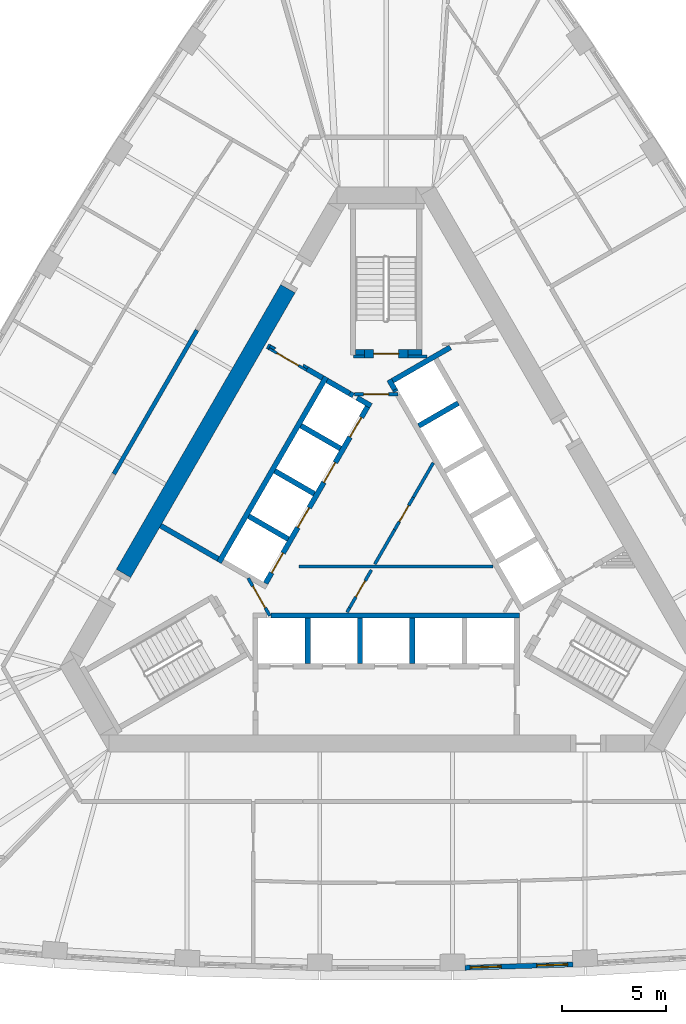
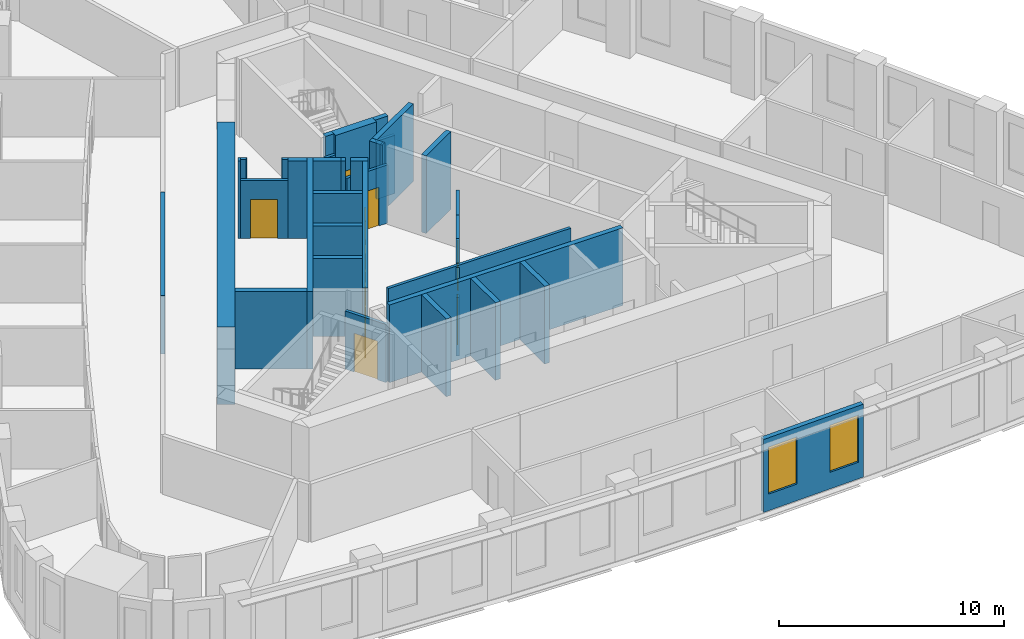
# One storey, part 5 of 11: 38 walls, 10 doors, 2 windows, 12 openings.
"""IFC4 building model written with IfcOpenShell, lengths in metres."""

import ifcopenshell
import ifcopenshell.guid

model = None  # the IFC model being written
_history = None  # IfcOwnerHistory: only IFC2X3 demands one
_inside = {}  # id of a spatial element -> (the spatial element, [elements in it])
_under = {}  # id of a project, library or spatial element -> (it, [spatial elements below it])
_declared = {}  # id of a project -> (the project, [libraries it declares])
_typed = {}  # id of a type object -> (the type object, [elements of that type])
_made_of = {}  # id of a material, layer set ... -> (it, [elements and type objects made of it])


def new_model(schema):
    """Start an empty IFC model of exactly this schema.

    Asked for "IFC4X3", IfcOpenShell would pick the latest addendum, in which some entities
    have other attributes; the version numbers below select the first issue.
    IFC2X3 requires an IfcOwnerHistory on every rooted entity: one is made here for all.
    """
    global model, _history
    if schema == "IFC4X3":
        model = ifcopenshell.file(schema_version=(4, 3, 0, 0))
    else:
        model = ifcopenshell.file(schema=schema)
    _inside.clear()
    _under.clear()
    _declared.clear()
    _typed.clear()
    _made_of.clear()
    _history = None
    if model.schema == "IFC2X3":
        org = make("IfcOrganization", Name="unknown")
        user = make(
            "IfcPersonAndOrganization",
            ThePerson=make("IfcPerson", FamilyName="unknown"),
            TheOrganization=org,
        )
        app = make(
            "IfcApplication",
            ApplicationDeveloper=org,
            Version="unknown",
            ApplicationFullName="unknown",
            ApplicationIdentifier="unknown",
        )
        _history = make(
            "IfcOwnerHistory",
            OwningUser=user,
            OwningApplication=app,
            ChangeAction="ADDED",
            CreationDate=0,
        )
    return model


def make(cls, **values):
    """One entity of the class cls with the attributes given. An attribute that is None is left unset."""
    return model.create_entity(
        cls, **{name: value for name, value in values.items() if value is not None}
    )


def rooted(cls, **values):
    """An entity with a GlobalId (a new one), such as an element, a storey or a relation."""
    return make(cls, GlobalId=ifcopenshell.guid.new(), OwnerHistory=_history, **values)


def si_unit(unit_type, name, prefix=None):
    """IfcSIUnit, for example si_unit("LENGTHUNIT", "METRE", prefix="MILLI")."""
    return make("IfcSIUnit", UnitType=unit_type, Prefix=prefix, Name=name)


def assignment(units):
    """IfcUnitAssignment: the units of a project."""
    return None if units is None else make("IfcUnitAssignment", Units=units)


def point(xyz):
    """IfcCartesianPoint."""
    return None if xyz is None else make("IfcCartesianPoint", Coordinates=xyz)


def direction(xyz):
    """IfcDirection."""
    return None if xyz is None else make("IfcDirection", DirectionRatios=xyz)


def frame(location, z_axis=None, x_axis=None):
    """IfcAxis2Placement3D, a coordinate frame: its origin and axes. An axis left out is left unset."""
    return make(
        "IfcAxis2Placement3D",
        Location=point(location),
        Axis=direction(z_axis),
        RefDirection=direction(x_axis),
    )


def frame_2d(location, x_axis=None):
    """IfcAxis2Placement2D, a coordinate frame in the plane: its origin and x axis."""
    return make(
        "IfcAxis2Placement2D", Location=point(location), RefDirection=direction(x_axis)
    )


def origin():
    """The frame at (0, 0, 0) with its axes left unset."""
    return frame((0.0, 0.0, 0.0))


def place(relative_to, where):
    """IfcLocalPlacement: puts the frame where relative to a parent placement (None: the world)."""
    return make(
        "IfcLocalPlacement", PlacementRelTo=relative_to, RelativePlacement=where
    )


def context(
    kind, dimensions, precision=None, world=None, true_north=None, identifier=None
):
    """IfcGeometricRepresentationContext, for example the 3D "Model" context."""
    return make(
        "IfcGeometricRepresentationContext",
        ContextIdentifier=identifier,
        ContextType=kind,
        CoordinateSpaceDimension=dimensions,
        Precision=precision,
        WorldCoordinateSystem=world,
        TrueNorth=true_north,
    )


def subcontext(parent, identifier, kind, view, scale=None):
    """IfcGeometricRepresentationSubContext, for example "Body" below "Model"."""
    return make(
        "IfcGeometricRepresentationSubContext",
        ContextIdentifier=identifier,
        ContextType=kind,
        ParentContext=parent,
        TargetScale=scale,
        TargetView=view,
    )


def project(units=None, contexts=None):
    """IfcProject with its units and contexts."""
    return rooted(
        "IfcProject",
        Name="project",
        RepresentationContexts=contexts,
        UnitsInContext=assignment(units),
    )


def spatial(cls, under=None, at=None, **own):
    """A site, building, storey or space (cls), placed at a placement, below another one or the project."""
    s = rooted(cls, ObjectPlacement=at, **own)
    if under is not None:
        _under.setdefault(under.id(), (under, []))[1].append(s)
    return s


def polyline(points):
    """IfcPolyline through the points."""
    return make("IfcPolyline", Points=[point(p) for p in points])


def profile(cls, at=None, kind="AREA", **sizes):
    """A parametric profile (cls). Its sizes go by their IFC names, for example OverallWidth=200.0."""
    return make(cls, ProfileType=kind, Position=at, **sizes)


def rectangle(**sizes):
    """IfcRectangleProfileDef."""
    return profile("IfcRectangleProfileDef", **sizes)


def outline(outer, holes=None, kind="AREA"):
    """IfcArbitraryClosedProfileDef: a profile drawn as a closed curve; with holes, ...WithVoids."""
    if holes is None:
        return make("IfcArbitraryClosedProfileDef", ProfileType=kind, OuterCurve=outer)
    return make(
        "IfcArbitraryProfileDefWithVoids",
        ProfileType=kind,
        OuterCurve=outer,
        InnerCurves=holes,
    )


def extrude(swept, where, along, depth):
    """IfcExtrudedAreaSolid: the profile swept, set in the frame where, extruded along a direction by depth."""
    return make(
        "IfcExtrudedAreaSolid",
        SweptArea=swept,
        Position=where,
        ExtrudedDirection=direction(along),
        Depth=depth,
    )


def shape(context_of_items, identifier, shape_type, items):
    """IfcShapeRepresentation: the items that make up one representation, for example the "Body"."""
    return make(
        "IfcShapeRepresentation",
        ContextOfItems=context_of_items,
        RepresentationIdentifier=identifier,
        RepresentationType=shape_type,
        Items=items,
    )


def material(Name=None, Category=None):
    """IfcMaterial."""
    return make("IfcMaterial", Name=Name, Category=Category)


def layer(
    of_material, thickness, ventilated=None, Name=None, Category=None, Priority=None
):
    """IfcMaterialLayer: one layer of a wall or slab, of a material (None: an air gap)."""
    return make(
        "IfcMaterialLayer",
        Material=of_material,
        LayerThickness=thickness,
        IsVentilated=ventilated,
        Name=Name,
        Category=Category,
        Priority=Priority,
    )


def layer_set(layers, Name=None):
    """IfcMaterialLayerSet."""
    return make("IfcMaterialLayerSet", MaterialLayers=layers, LayerSetName=Name)


def made_of(thing, what):
    """Note that an element or type object is made of a material, layer set ...; save() writes the relation."""
    if what is not None:
        _made_of.setdefault(what.id(), (what, []))[1].append(thing)
    return thing


def type_object(cls, material=None, **own):
    """A type object (cls), such as IfcWallType, which elements share."""
    return made_of(rooted(cls, **own), material)


def element(
    cls,
    number,
    at=None,
    inside=None,
    cuts=None,
    type_object=None,
    material=None,
    context=None,
    identifier="Body",
    shape_type=None,
    held_by="IfcProductDefinitionShape",
    body=None,
    shapes=None,
    **own,
):
    """One element of the class cls, such as IfcWall. Its Tag is "e" and its number.

    at: its placement. inside: the storey or other place that contains it. cuts: it is an
    opening in that element (IfcRelVoidsElement). A single representation is given by context,
    identifier, shape_type and body (its items); several are given by shapes. held_by: the class
    of the entity that holds the representations. save() writes the other relations.
    """
    e = rooted(cls, Tag="e%d" % number, ObjectPlacement=at, **own)
    if body is not None:
        shapes = [shape(context, identifier, shape_type, body)]
    if shapes is not None:
        e.Representation = make(held_by, Representations=shapes)
    if inside is not None:
        _inside.setdefault(inside.id(), (inside, []))[1].append(e)
    if cuts is not None:
        rooted(
            "IfcRelVoidsElement", RelatingBuildingElement=cuts, RelatedOpeningElement=e
        )
    if type_object is not None:
        _typed.setdefault(type_object.id(), (type_object, []))[1].append(e)
    return made_of(e, material)


def fill(opening, filler):
    """IfcRelFillsElement: the door or window that sits in an opening."""
    return rooted(
        "IfcRelFillsElement",
        RelatingOpeningElement=opening,
        RelatedBuildingElement=filler,
    )


def aggregate(whole, parts):
    """IfcRelAggregates: a whole, such as a stair, and the parts it consists of."""
    return rooted("IfcRelAggregates", RelatingObject=whole, RelatedObjects=parts)


def save(model, path):
    """Write the relations noted so far, then the file.

    IfcRelAggregates (storeys below a building ...), IfcRelContainedInSpatialStructure (elements
    in a storey), IfcRelDefinesByType, IfcRelAssociatesMaterial and IfcRelDeclares: one each for
    every whole, place, type object, material and project.
    """
    for whole, parts in _under.values():
        aggregate(whole, parts)
    for where, things in _inside.values():
        rooted(
            "IfcRelContainedInSpatialStructure",
            RelatedElements=things,
            RelatingStructure=where,
        )
    for kind, things in _typed.values():
        rooted("IfcRelDefinesByType", RelatedObjects=things, RelatingType=kind)
    for what, things in _made_of.values():
        rooted("IfcRelAssociatesMaterial", RelatedObjects=things, RelatingMaterial=what)
    for by, libraries in _declared.values():
        rooted("IfcRelDeclares", RelatingContext=by, RelatedDefinitions=libraries)
    model.write(path)


model = new_model("IFC4")

# Units and contexts
model_context = context("Model", 3, precision=1e-05, world=origin(), true_north=direction((0.0, 1.0)))
body_context = subcontext(model_context, "Body", "Model", "MODEL_VIEW")
ifc_project = project(units=[si_unit("LENGTHUNIT", "METRE"), si_unit("AREAUNIT", "SQUARE_METRE"), si_unit("VOLUMEUNIT", "CUBIC_METRE"), si_unit("PLANEANGLEUNIT", "RADIAN"), si_unit("MASSUNIT", "GRAM", prefix="KILO")], contexts=[model_context])

# Site, building, storey
site_placement = place(None, origin())
site = spatial("IfcSite", under=ifc_project, at=site_placement, CompositionType="ELEMENT")
building_placement = place(site_placement, origin())
building = spatial("IfcBuilding", under=site, at=building_placement, Name="Mestral Congress Tower", CompositionType="ELEMENT")
storey_placement = place(building_placement, frame((0.0, 0.0, 175.199951171875)))
storey = spatial("IfcBuildingStorey", under=building, at=storey_placement, Name="L41", CompositionType="ELEMENT", Elevation=175.199951171875)

# Walls
ifc_material_1 = material(Name="Fire-rated board partition")
ifc_layer_1 = layer(ifc_material_1, 0.14990234375)
ifc_layer_set_1 = layer_set([ifc_layer_1], Name="Fire-rated board partition")
wall_type_1 = type_object("IfcWallType", Name="Core partition 150", PredefinedType="PARTITIONING", material=ifc_layer_set_1)
wall_1_placement = place(storey_placement, frame((1.050048828125, 8.62548828125, 0.0), z_axis=(0.0, 0.0, 1.0), x_axis=(1.0, 0.0, 0.0)))
element("IfcWall", 1, at=wall_1_placement, inside=storey, type_object=wall_type_1, Name="L41 core wall", PredefinedType="PARTITIONING", context=body_context, shape_type="SweptSolid", body=[
    extrude(rectangle(XDim=0.9287109375, YDim=0.14990234375, at=frame_2d((0.46435546875, 0.0))), origin(), (0.0, 0.0, 1.0), 3.150146484375),
])
wall_2_placement = place(storey_placement, frame((-1.56396484375, 8.62548828125, 0.0), z_axis=(0.0, 0.0, 1.0), x_axis=(1.0, 0.0, 0.0)))
element("IfcWall", 2, at=wall_2_placement, inside=storey, type_object=wall_type_1, Name="L41 core wall", PredefinedType="PARTITIONING", context=body_context, shape_type="SweptSolid", body=[
    extrude(rectangle(XDim=0.513916015625, YDim=0.14990234375, at=frame_2d((0.2568359375, 0.0))), origin(), (0.0, 0.0, 1.0), 3.150146484375),
])
wall_3_placement = place(storey_placement, frame((-4.199951171875, -1.5, 0.0), z_axis=(0.0, 0.0, 1.0), x_axis=(1.0, 0.0, 0.0)))
element("IfcWall", 3, at=wall_3_placement, inside=storey, type_object=wall_type_1, Name="L41 core wall", PredefinedType="PARTITIONING", context=body_context, shape_type="SweptSolid", body=[
    extrude(rectangle(XDim=9.359375, YDim=0.14990234375, at=frame_2d((4.6796875, 0.0))), origin(), (0.0, 0.0, 1.0), 3.150146484375),
])
wall_4_placement = place(storey_placement, frame((-0.54443359375, -1.393310546875, 0.0), z_axis=(0.0, 0.0, 1.0), x_axis=(0.499928740635, 0.866066541489, 0.0)))
element("IfcWall", 4, at=wall_4_placement, inside=storey, type_object=wall_type_1, Name="L41 core wall", PredefinedType="PARTITIONING", context=body_context, shape_type="SweptSolid", body=[
    extrude(rectangle(XDim=1.912353515625, YDim=0.14990234375, at=frame_2d((0.9560546875, 0.0))), origin(), (0.0, 0.0, 1.0), 3.150146484375),
])
wall_5_placement = place(storey_placement, frame((1.311767578125, 1.822021484375, 0.0), z_axis=(0.0, 0.0, 1.0), x_axis=(0.500003549559, 0.866023354436, 0.0)))
element("IfcWall", 5, at=wall_5_placement, inside=storey, type_object=wall_type_1, Name="L41 core wall", PredefinedType="PARTITIONING", context=body_context, shape_type="SweptSolid", body=[
    extrude(rectangle(XDim=1.9296875, YDim=0.14990234375, at=frame_2d((0.96484375, 0.0))), origin(), (0.0, 0.0, 1.0), 3.150146484375),
])
wall_6_placement = place(storey_placement, frame((-1.886962890625, -3.71826171875, 0.0), z_axis=(0.0, 0.0, 1.0), x_axis=(0.500165633897, 0.865929753888, 0.0)))
element("IfcWall", 6, at=wall_6_placement, inside=storey, type_object=wall_type_1, Name="L41 core wall", PredefinedType="PARTITIONING", context=body_context, shape_type="SweptSolid", body=[
    extrude(rectangle(XDim=0.25439453125, YDim=0.14990234375, at=frame_2d((0.127197265625, 0.0))), origin(), (0.0, 0.0, 1.0), 3.150146484375),
])

# Wall, opening, door
wall_7_placement = place(storey_placement, frame((-1.759765625, -3.498046875, 0.0), z_axis=(0.0, 0.0, 1.0), x_axis=(0.499977374825, 0.866038466041, 0.0)))
wall_7 = element("IfcWall", 7, at=wall_7_placement, inside=storey, type_object=wall_type_1, Name="L41 door wall", PredefinedType="PARTITIONING", context=body_context, shape_type="SweptSolid", body=[
    extrude(rectangle(XDim=2.10009765625, YDim=0.14990234375, at=frame_2d((1.050048828125, 0.0))), origin(), (0.0, 0.0, 1.0), 3.150146484375),
])
opening_1_placement = place(wall_7_placement, frame((0.60009765625, 0.0, 0.0)))
opening_1 = element("IfcOpeningElement", 8, at=opening_1_placement, cuts=wall_7, Name="Opening CD1-HUB0", PredefinedType="OPENING", context=body_context, shape_type="SweptSolid", body=[
    extrude(rectangle(XDim=0.89990234375, YDim=2.10009765625, at=frame_2d((0.449951171875, 1.050048828125))), frame((0.0, 0.0849609375, 0.0), z_axis=(0.0, -1.0, 0.0), x_axis=(1.0, 0.0, 0.0)), (0.0, 0.0, 1.0), 0.169921875),
])
ifc_material_2 = material(Name="Fire-rated steel door set", Category="steel")
door_type_1 = type_object("IfcDoorType", Name="Core door CD 900x2100", OperationType="SINGLE_SWING_LEFT", PredefinedType="DOOR", material=ifc_material_2)
door_1_placement = place(opening_1_placement, origin())
door_1 = element("IfcDoor", 9, at=door_1_placement, inside=storey, type_object=door_type_1, Name="Door CD1-HUB0", OperationType="SINGLE_SWING_LEFT", OverallHeight=2.10009765625, OverallWidth=0.89990234375, PredefinedType="DOOR", context=body_context, shape_type="SweptSolid", body=[
    extrude(rectangle(XDim=0.89990234375, YDim=2.10009765625, at=frame_2d((0.449951171875, 1.050048828125))), frame((0.0, 0.02490234375, 0.0), z_axis=(0.0, -1.0, 0.0), x_axis=(1.0, 0.0, 0.0)), (0.0, 0.0, 1.0), 0.050048828125),
])
fill(opening_1, door_1)

wall_8_placement = place(storey_placement, frame((-1.534423828125, 6.800048828125, 0.0), z_axis=(0.0, 0.0, 1.0), x_axis=(1.0, 0.0, 0.0)))
wall_8 = element("IfcWall", 10, at=wall_8_placement, inside=storey, type_object=wall_type_1, Name="L41 door wall", PredefinedType="PARTITIONING", context=body_context, shape_type="SweptSolid", body=[
    extrude(rectangle(XDim=2.099853515625, YDim=0.14990234375, at=frame_2d((1.0498046875, 0.0))), origin(), (0.0, 0.0, 1.0), 3.150146484375),
])
opening_2_placement = place(wall_8_placement, frame((0.449951171875, 0.0, 0.0)))
opening_2 = element("IfcOpeningElement", 11, at=opening_2_placement, cuts=wall_8, Name="Opening CD2-FF", PredefinedType="OPENING", context=body_context, shape_type="SweptSolid", body=[
    extrude(rectangle(XDim=1.199951171875, YDim=2.10009765625, at=frame_2d((0.60009765625, 1.050048828125))), frame((0.0, 0.0849609375, 0.0), z_axis=(0.0, -1.0, 0.0), x_axis=(1.0, 0.0, 0.0)), (0.0, 0.0, 1.0), 0.169921875),
])
door_type_2 = type_object("IfcDoorType", Name="Core door CD 1200x2100", OperationType="SINGLE_SWING_LEFT", PredefinedType="DOOR", material=ifc_material_2)
door_2_placement = place(opening_2_placement, origin())
door_2 = element("IfcDoor", 12, at=door_2_placement, inside=storey, type_object=door_type_2, Name="Door CD2-FF", OperationType="SINGLE_SWING_LEFT", OverallHeight=2.10009765625, OverallWidth=1.199951171875, PredefinedType="DOOR", context=body_context, shape_type="SweptSolid", body=[
    extrude(rectangle(XDim=1.199951171875, YDim=2.10009765625, at=frame_2d((0.60009765625, 1.050048828125))), frame((0.0, 0.02490234375, 0.0), z_axis=(0.0, -1.0, 0.0), x_axis=(1.0, 0.0, 0.0)), (0.0, 0.0, 1.0), 0.050048828125),
])
fill(opening_2, door_2)

wall_9_placement = place(storey_placement, frame((-5.606201171875, -3.8896484375, 0.0), z_axis=(0.0, 0.0, 1.0), x_axis=(-0.500027713859, 0.866009402589, 0.0)))
wall_9 = element("IfcWall", 13, at=wall_9_placement, inside=storey, type_object=wall_type_1, Name="L41 door wall", PredefinedType="PARTITIONING", context=body_context, shape_type="SweptSolid", body=[
    extrude(rectangle(XDim=2.10009765625, YDim=0.14990234375, at=frame_2d((1.050048828125, 0.0))), origin(), (0.0, 0.0, 1.0), 3.150146484375),
])
opening_3_placement = place(wall_9_placement, frame((0.449951171875, 0.0, 0.0)))
opening_3 = element("IfcOpeningElement", 14, at=opening_3_placement, cuts=wall_9, Name="Opening CD3-FF", PredefinedType="OPENING", context=body_context, shape_type="SweptSolid", body=[
    extrude(rectangle(XDim=1.199951171875, YDim=2.10009765625, at=frame_2d((0.60009765625, 1.050048828125))), frame((0.0, 0.0849609375, 0.0), z_axis=(0.0, -1.0, 0.0), x_axis=(1.0, 0.0, 0.0)), (0.0, 0.0, 1.0), 0.169921875),
])
door_3_placement = place(opening_3_placement, origin())
door_3 = element("IfcDoor", 15, at=door_3_placement, inside=storey, type_object=door_type_2, Name="Door CD3-FF", OperationType="SINGLE_SWING_LEFT", OverallHeight=2.10009765625, OverallWidth=1.199951171875, PredefinedType="DOOR", context=body_context, shape_type="SweptSolid", body=[
    extrude(rectangle(XDim=1.199951171875, YDim=2.10009765625, at=frame_2d((0.60009765625, 1.050048828125))), frame((0.0, 0.02490234375, 0.0), z_axis=(0.0, -1.0, 0.0), x_axis=(1.0, 0.0, 0.0)), (0.0, 0.0, 1.0), 0.050048828125),
])
fill(opening_3, door_3)

wall_10_placement = place(storey_placement, frame((0.41162109375, 0.26318359375, 0.0), z_axis=(0.0, 0.0, 1.0), x_axis=(0.500062916607, 0.865989075817, 0.0)))
wall_10 = element("IfcWall", 16, at=wall_10_placement, inside=storey, type_object=wall_type_1, Name="L41 door wall", PredefinedType="PARTITIONING", context=body_context, shape_type="SweptSolid", body=[
    extrude(rectangle(XDim=1.800048828125, YDim=0.14990234375, at=frame_2d((0.89990234375, 0.0))), origin(), (0.0, 0.0, 1.0), 3.150146484375),
])
opening_4_placement = place(wall_10_placement, frame((0.449951171875, 0.0, 0.0)))
opening_4 = element("IfcOpeningElement", 17, at=opening_4_placement, cuts=wall_10, Name="Opening SD-HUB1", PredefinedType="OPENING", context=body_context, shape_type="SweptSolid", body=[
    extrude(rectangle(XDim=0.89990234375, YDim=2.10009765625, at=frame_2d((0.449951171875, 1.050048828125))), frame((0.0, 0.0849609375, 0.0), z_axis=(0.0, -1.0, 0.0), x_axis=(1.0, 0.0, 0.0)), (0.0, 0.0, 1.0), 0.169921875),
])
door_type_3 = type_object("IfcDoorType", Name="Core door SR 900x2100", OperationType="SINGLE_SWING_LEFT", PredefinedType="DOOR", material=ifc_material_2)
door_4_placement = place(opening_4_placement, origin())
door_4 = element("IfcDoor", 18, at=door_4_placement, inside=storey, type_object=door_type_3, Name="Door SD-HUB1", OperationType="SINGLE_SWING_LEFT", OverallHeight=2.10009765625, OverallWidth=0.89990234375, PredefinedType="DOOR", context=body_context, shape_type="SweptSolid", body=[
    extrude(rectangle(XDim=0.89990234375, YDim=2.10009765625, at=frame_2d((0.449951171875, 1.050048828125))), frame((0.0, 0.02490234375, 0.0), z_axis=(0.0, -1.0, 0.0), x_axis=(1.0, 0.0, 0.0)), (0.0, 0.0, 1.0), 0.050048828125),
])
fill(opening_4, door_4)

ifc_layer_2 = layer(ifc_material_1, 0.1201171875)
ifc_layer_set_2 = layer_set([ifc_layer_2], Name="Fire-rated board partition")
wall_type_2 = type_object("IfcWallType", Name="Core partition 150 door-wall 120", PredefinedType="PARTITIONING", material=ifc_layer_set_2)
wall_11_placement = place(storey_placement, frame((-5.65869140625, 9.01171875, 0.0), z_axis=(0.0, 0.0, 1.0), x_axis=(0.866009402589, -0.500027713859, 0.0)))
wall_11 = element("IfcWall", 19, at=wall_11_placement, inside=storey, type_object=wall_type_2, Name="L41 door wall", PredefinedType="PARTITIONING", context=body_context, shape_type="SweptSolid", body=[
    extrude(rectangle(XDim=2.10009765625, YDim=0.1201171875, at=frame_2d((1.050048828125, 0.0))), origin(), (0.0, 0.0, 1.0), 3.150146484375),
])
opening_5_placement = place(wall_11_placement, frame((0.449951171875, 0.0, 0.0)))
opening_5 = element("IfcOpeningElement", 20, at=opening_5_placement, cuts=wall_11, Name="Opening LB2-WL2", PredefinedType="OPENING", context=body_context, shape_type="SweptSolid", body=[
    extrude(rectangle(XDim=1.199951171875, YDim=2.10009765625, at=frame_2d((0.60009765625, 1.050048828125))), frame((0.0, 0.070068359375, 0.0), z_axis=(0.0, -1.0, 0.0), x_axis=(1.0, 0.0, 0.0)), (0.0, 0.0, 1.0), 0.14013671875),
])
door_type_4 = type_object("IfcDoorType", Name="Core door LB 1200x2100", OperationType="SINGLE_SWING_LEFT", PredefinedType="DOOR", material=ifc_material_2)
door_5_placement = place(opening_5_placement, origin())
door_5 = element("IfcDoor", 21, at=door_5_placement, inside=storey, type_object=door_type_4, Name="Door LB2-WL2", OperationType="SINGLE_SWING_LEFT", OverallHeight=2.10009765625, OverallWidth=1.199951171875, PredefinedType="DOOR", context=body_context, shape_type="SweptSolid", body=[
    extrude(rectangle(XDim=1.199951171875, YDim=2.10009765625, at=frame_2d((0.60009765625, 1.050048828125))), frame((0.0, 0.02490234375, 0.0), z_axis=(0.0, -1.0, 0.0), x_axis=(1.0, 0.0, 0.0)), (0.0, 0.0, 1.0), 0.050048828125),
])
fill(opening_5, door_5)

# Wall
ifc_material_3 = material(Name="Concrete C60/75", Category="concrete")
ifc_layer_3 = layer(ifc_material_3, 0.800048828125)
ifc_layer_set_3 = layer_set([ifc_layer_3], Name="Concrete C60/75")
wall_type_3 = type_object("IfcWallType", Name="Core wall RC 800", PredefinedType="SOLIDWALL", material=ifc_layer_set_3)
wall_12_placement = place(storey_placement, frame((-12.668212890625, -1.841796875, 0.0), z_axis=(0.0, 0.0, 1.0), x_axis=(0.500003640647, 0.866023301845, 0.0)))
element("IfcWall", 22, at=wall_12_placement, inside=storey, type_object=wall_type_3, Name="L41 core wall", PredefinedType="SOLIDWALL", context=body_context, shape_type="SweptSolid", body=[
    extrude(rectangle(XDim=15.8583984375, YDim=0.800048828125, at=frame_2d((7.92919921875, 0.0))), origin(), (0.0, 0.0, 1.0), 4.199951171875),
])

# Wall, openings, windows
ifc_material_4 = material(Name="Precast concrete C40/50 with limestone facing", Category="masonry")
ifc_layer_4 = layer(ifc_material_4, 0.239990234375)
ifc_layer_set_4 = layer_set([ifc_layer_4], Name="Precast concrete C40/50 with limestone facing")
wall_type_4 = type_object("IfcWallType", Name="Facade stone wall 240", PredefinedType="SOLIDWALL", material=ifc_layer_set_4)
wall_13_placement = place(storey_placement, frame((3.80615234375, -20.869873046875, 0.0), z_axis=(0.0, 0.0, 1.0), x_axis=(0.999533441983, 0.030543384845, 0.0)))
wall_13 = element("IfcWall", 23, at=wall_13_placement, inside=storey, type_object=wall_type_4, Name="Facade wall F0-04", PredefinedType="SOLIDWALL", context=body_context, shape_type="SweptSolid", body=[
    extrude(rectangle(XDim=5.20361328125, YDim=0.239990234375, at=frame_2d((2.601806640625, 0.0))), origin(), (0.0, 0.0, 1.0), 3.949951171875),
])
opening_6_placement = place(wall_13_placement, frame((0.248291015625, 0.0, 0.89990234375)))
opening_6 = element("IfcOpeningElement", 24, at=opening_6_placement, cuts=wall_13, Name="Opening W4", PredefinedType="OPENING", context=body_context, shape_type="SweptSolid", body=[
    extrude(rectangle(XDim=1.5, YDim=2.550048828125, at=frame_2d((0.75, 1.27490234375))), frame((0.0, 0.1298828125, 0.0), z_axis=(0.0, -1.0, 0.0), x_axis=(1.0, 0.0, 0.0)), (0.0, 0.0, 1.0), 0.260009765625),
])
opening_7_placement = place(wall_13_placement, frame((3.455078125, 0.0, 0.89990234375)))
opening_7 = element("IfcOpeningElement", 25, at=opening_7_placement, cuts=wall_13, Name="Opening W4", PredefinedType="OPENING", context=body_context, shape_type="SweptSolid", body=[
    extrude(rectangle(XDim=1.5, YDim=2.550048828125, at=frame_2d((0.75, 1.27490234375))), frame((0.0, 0.1298828125, 0.0), z_axis=(0.0, -1.0, 0.0), x_axis=(1.0, 0.0, 0.0)), (0.0, 0.0, 1.0), 0.260009765625),
])
ifc_material_5 = material(Name="Clear low-emissivity double glazing", Category="glass")
window_type = type_object("IfcWindowType", Name="Facade punched window 1500 x 2550 sill 900", PartitioningType="SINGLE_PANEL", PredefinedType="WINDOW", material=ifc_material_5)
window_1_placement = place(opening_6_placement, origin())
window_1 = element("IfcWindow", 26, at=window_1_placement, inside=storey, type_object=window_type, Name="Window F0-04a", OverallHeight=2.550048828125, OverallWidth=1.5, PartitioningType="SINGLE_PANEL", PredefinedType="WINDOW", context=body_context, shape_type="SweptSolid", body=[
    extrude(rectangle(XDim=1.5, YDim=2.550048828125, at=frame_2d((0.75, 1.27490234375))), frame((0.0, 0.0400390625, 0.0), z_axis=(0.0, -1.0, 0.0), x_axis=(1.0, 0.0, 0.0)), (0.0, 0.0, 1.0), 0.06005859375),
])
fill(opening_6, window_1)
window_2_placement = place(opening_7_placement, origin())
window_2 = element("IfcWindow", 27, at=window_2_placement, inside=storey, type_object=window_type, Name="Window F0-04b", OverallHeight=2.550048828125, OverallWidth=1.5, PartitioningType="SINGLE_PANEL", PredefinedType="WINDOW", context=body_context, shape_type="SweptSolid", body=[
    extrude(rectangle(XDim=1.5, YDim=2.550048828125, at=frame_2d((0.75, 1.27490234375))), frame((0.0, 0.0400390625, 0.0), z_axis=(0.0, -1.0, 0.0), x_axis=(1.0, 0.0, 0.0)), (0.0, 0.0, 1.0), 0.06005859375),
])
fill(opening_7, window_2)

# Walls
ifc_material_6 = material(Name="Dense masonry wall, plastered", Category="masonry")
ifc_layer_5 = layer(ifc_material_6, 0.199951171875)
ifc_layer_set_5 = layer_set([ifc_layer_5], Name="Dense masonry wall, plastered")
wall_type_5 = type_object("IfcWallType", Name="Office tenancy wall 200", PredefinedType="PARTITIONING", material=ifc_layer_set_5)
wall_14_placement = place(storey_placement, frame((-9.12646484375, 9.892578125, 0.0), z_axis=(0.0, 0.0, 1.0), x_axis=(-0.499995158272, -0.866028199139, 0.0)))
element("IfcWall", 28, at=wall_14_placement, inside=storey, type_object=wall_type_5, Name="Tenancy wall", PredefinedType="PARTITIONING", context=body_context, shape_type="SweptSolid", body=[
    extrude(rectangle(XDim=8.0078125, YDim=0.199951171875, at=frame_2d((4.00390625, 0.0))), origin(), (0.0, 0.0, 1.0), 3.150146484375),
])
ifc_layer_6 = layer(ifc_material_3, 0.25)
ifc_layer_set_6 = layer_set([ifc_layer_6], Name="Concrete C60/75")
wall_type_6 = type_object("IfcWallType", Name="Shaft wall RC 250", PredefinedType="SOLIDWALL", material=ifc_layer_set_6)
wall_15_placement = place(storey_placement, frame((-5.544921875, -3.875, 0.0), z_axis=(0.0, 0.0, 1.0), x_axis=(1.0, 0.0, 0.0)))
element("IfcWall", 29, at=wall_15_placement, inside=storey, type_object=wall_type_6, Name="L41 core wall", PredefinedType="SOLIDWALL", context=body_context, shape_type="SweptSolid", body=[
    extrude(rectangle(XDim=11.969970703125, YDim=0.25, at=frame_2d((5.98486328125, 0.0))), origin(), (0.0, 0.0, 1.0), 4.199951171875),
])
for number, where, z_axis, x_axis, name in (
    (30, (1.260009765625, -4.0, 0.0), (0.0, 0.0, 1.0), (0.0, -1.0, 0.0), "L41 core wall"),
    (31, (-1.260009765625, -4.0, 0.0), (0.0, 0.0, 1.0), (0.0, -1.0, 0.0), "L41 core wall"),
    (32, (-3.780029296875, -4.0, 0.0), (0.0, 0.0, 1.0), (0.0, -1.0, 0.0), "L41 core wall"),
):
    element("IfcWall", number, at=place(storey_placement, frame(where, z_axis=z_axis, x_axis=x_axis)), inside=storey, type_object=wall_type_6, Name=name, PredefinedType="SOLIDWALL", context=body_context, shape_type="SweptSolid", body=[
        extrude(rectangle(XDim=2.199951171875, YDim=0.25, at=frame_2d((1.10009765625, 0.0))), origin(), (0.0, 0.0, 1.0), 4.199951171875),
    ])
wall_16_placement = place(storey_placement, frame((0.473388671875, 6.93017578125, 0.0), z_axis=(0.0, 0.0, 1.0), x_axis=(-0.49972245349, 0.866185586049, 0.0)))
element("IfcWall", 33, at=wall_16_placement, inside=storey, type_object=wall_type_6, Name="L41 core wall", PredefinedType="SOLIDWALL", context=body_context, shape_type="SweptSolid", body=[
    extrude(rectangle(XDim=0.10986328125, YDim=0.25, at=frame_2d((0.054931640625, 0.0))), origin(), (0.0, 0.0, 1.0), 4.199951171875),
])
wall_17_placement = place(storey_placement, frame((0.41748046875, 7.027099609375, 0.0), z_axis=(0.0, 0.0, 1.0), x_axis=(-0.500210807569, 0.865903659763, 0.0)))
element("IfcWall", 34, at=wall_17_placement, inside=storey, type_object=wall_type_6, Name="L41 core wall", PredefinedType="SOLIDWALL", context=body_context, shape_type="SweptSolid", body=[
    extrude(rectangle(XDim=0.548095703125, YDim=0.25, at=frame_2d((0.27392578125, 0.0))), origin(), (0.0, 0.0, 1.0), 4.199951171875),
])
wall_18_placement = place(storey_placement, frame((3.10009765625, 9.064453125, 0.0), z_axis=(0.0, 0.0, 1.0), x_axis=(-0.866030133475, -0.499991807846, 0.0)))
element("IfcWall", 35, at=wall_18_placement, inside=storey, type_object=wall_type_6, Name="L41 core wall", PredefinedType="SOLIDWALL", context=body_context, shape_type="SweptSolid", body=[
    extrude(rectangle(XDim=3.216796875, YDim=0.25, at=frame_2d((1.6083984375, 0.0))), origin(), (0.0, 0.0, 1.0), 4.199951171875),
])
wall_19_placement = place(storey_placement, frame((1.57421875, 5.273681640625, 0.0), z_axis=(0.0, 0.0, 1.0), x_axis=(0.866028486751, 0.499994660107, 0.0)))
element("IfcWall", 36, at=wall_19_placement, inside=storey, type_object=wall_type_6, Name="L41 core wall", PredefinedType="SOLIDWALL", context=body_context, shape_type="SweptSolid", body=[
    extrude(rectangle(XDim=2.19970703125, YDim=0.25, at=frame_2d((1.099853515625, 0.0))), origin(), (0.0, 0.0, 1.0), 4.199951171875),
])
wall_20_placement = place(storey_placement, frame((-8.06005859375, -1.310546875, 0.0), z_axis=(0.0, 0.0, 1.0), x_axis=(0.50000273126, 0.866023826885, 0.0)))
element("IfcWall", 37, at=wall_20_placement, inside=storey, type_object=wall_type_6, Name="L41 core wall", PredefinedType="SOLIDWALL", context=body_context, shape_type="SweptSolid", body=[
    extrude(rectangle(XDim=10.330078125, YDim=0.25, at=frame_2d((5.1650390625, 0.0))), origin(), (0.0, 0.0, 1.0), 4.199951171875),
])
wall_21_placement = place(storey_placement, frame((-1.75830078125, 6.834716796875, 0.0), z_axis=(0.0, 0.0, 1.0), x_axis=(0.865982457891, -0.500074377092, 0.0)))
element("IfcWall", 38, at=wall_21_placement, inside=storey, type_object=wall_type_6, Name="L41 core wall", PredefinedType="SOLIDWALL", context=body_context, shape_type="SweptSolid", body=[
    extrude(rectangle(XDim=0.2001953125, YDim=0.25, at=frame_2d((0.10009765625, 0.0))), origin(), (0.0, 0.0, 1.0), 4.199951171875),
])
wall_22_placement = place(storey_placement, frame((-1.760009765625, 6.835693359375, 0.0), z_axis=(0.0, 0.0, 1.0), x_axis=(-0.865952863304, 0.500125622755, 0.0)))
element("IfcWall", 39, at=wall_22_placement, inside=storey, type_object=wall_type_6, Name="L41 core wall", PredefinedType="SOLIDWALL", context=body_context, shape_type="SweptSolid", body=[
    extrude(rectangle(XDim=1.258056640625, YDim=0.25, at=frame_2d((0.62890625, 0.0))), origin(), (0.0, 0.0, 1.0), 4.199951171875),
])
wall_23_placement = place(storey_placement, frame((-0.7275390625, 6.23974609375, 0.0), z_axis=(0.0, 0.0, 1.0), x_axis=(-0.865955664968, 0.500120771724, 0.0)))
element("IfcWall", 40, at=wall_23_placement, inside=storey, type_object=wall_type_6, Name="L41 core wall", PredefinedType="SOLIDWALL", context=body_context, shape_type="SweptSolid", body=[
    extrude(rectangle(XDim=0.778076171875, YDim=0.25, at=frame_2d((0.38916015625, 0.0))), origin(), (0.0, 0.0, 1.0), 4.199951171875),
])
for number, where, z_axis, x_axis, name in (
    (41, (-2.2041015625, 4.182373046875, 0.0), (0.0, 0.0, 1.0), (-0.866008176907, 0.50002983664, 0.0), "L41 core wall"),
    (42, (-5.369384765625, 3.10009765625, 0.0), (0.0, 0.0, 1.0), (0.866008176907, -0.50002983664, 0.0), "L41 core wall"),
    (43, (-4.72412109375, -0.182373046875, 0.0), (0.0, 0.0, 1.0), (-0.866008176907, 0.50002983664, 0.0), "L41 core wall"),
):
    element("IfcWall", number, at=place(storey_placement, frame(where, z_axis=z_axis, x_axis=x_axis)), inside=storey, type_object=wall_type_6, Name=name, PredefinedType="SOLIDWALL", context=body_context, shape_type="SweptSolid", body=[
        extrude(rectangle(XDim=2.199951171875, YDim=0.25, at=frame_2d((1.10009765625, 0.0))), origin(), (0.0, 0.0, 1.0), 4.199951171875),
    ])
wall_24_placement = place(storey_placement, frame((-8.10595703125, -1.139892578125, 0.0), z_axis=(0.0, 0.0, 1.0), x_axis=(-0.866008981251, 0.500028443584, 0.0)))
element("IfcWall", 44, at=wall_24_placement, inside=storey, type_object=wall_type_6, Name="L41 core wall", PredefinedType="SOLIDWALL", context=body_context, shape_type="SweptSolid", body=[
    extrude(rectangle(XDim=3.199951171875, YDim=0.25, at=frame_2d((1.60009765625, 0.0))), origin(), (0.0, 0.0, 1.0), 4.199951171875),
])
wall_25_placement = place(storey_placement, frame((-5.724609375, 9.124755859375, 0.0), z_axis=(0.0, 0.0, 1.0), x_axis=(0.866185586049, -0.49972245349, 0.0)))
element("IfcWall", 45, at=wall_25_placement, inside=storey, type_object=wall_type_6, Name="L41 core wall", PredefinedType="SOLIDWALL", context=body_context, shape_type="SweptSolid", body=[
    extrude(rectangle(XDim=0.10986328125, YDim=0.25, at=frame_2d((0.054931640625, 0.0))), origin(), (0.0, 0.0, 1.0), 4.199951171875),
])
wall_26_placement = place(storey_placement, frame((-3.06591796875, 7.58984375, 0.0), z_axis=(0.0, 0.0, 1.0), x_axis=(-0.866081358704, 0.49990307071, 0.0)))
element("IfcWall", 46, at=wall_26_placement, inside=storey, type_object=wall_type_6, Name="L41 core wall", PredefinedType="SOLIDWALL", context=body_context, shape_type="SweptSolid", body=[
    extrude(rectangle(XDim=0.858154296875, YDim=0.25, at=frame_2d((0.42919921875, 0.0))), origin(), (0.0, 0.0, 1.0), 4.199951171875),
])
placement = place(storey_placement, origin())
element("IfcWall", 47, at=placement, inside=storey, type_object=wall_type_6, Name="L41 core wall", PredefinedType="SOLIDWALL", context=body_context, shape_type="SweptSolid", body=[
    extrude(outline(polyline([(-3.748291015625, 8.1279296875), (-3.813232421875, 8.015380859375), (-4.026611328125, 8.138671875), (-4.0166015625, 8.156005859375), (-4.007568359375, 8.17333984375), (-4.000244140625, 8.191650390625), (-3.994873046875, 8.21044921875), (-3.991455078125, 8.229736328125), (-3.98974609375, 8.24951171875), (-3.989990234375, 8.267578125), (-3.748291015625, 8.1279296875)])), origin(), (0.0, 0.0, 1.0), 4.199951171875),
])
element("IfcWall", 48, at=placement, inside=storey, type_object=wall_type_6, Name="L41 core wall", PredefinedType="SOLIDWALL", context=body_context, shape_type="SweptSolid", body=[
    extrude(outline(polyline([(-5.688720703125, 8.959716796875), (-5.690185546875, 8.960693359375), (-5.565185546875, 9.177001953125), (-5.318603515625, 9.03466796875), (-5.334716796875, 9.02587890625), (-5.3505859375, 9.0146484375), (-5.36572265625, 9.001953125), (-5.37939453125, 8.98779296875), (-5.3916015625, 8.972412109375), (-5.402099609375, 8.955810546875), (-5.412109375, 8.938720703125), (-5.628662109375, 9.063720703125), (-5.628662109375, 9.063720703125), (-5.688720703125, 8.959716796875)])), origin(), (0.0, 0.0, 1.0), 4.199951171875),
])

# Wall, openings, doors
wall_29_placement = place(storey_placement, frame((-0.898193359375, 6.194091796875, 0.0), z_axis=(0.0, 0.0, 1.0), x_axis=(-0.499996202215, -0.866027596426, 0.0)))
wall_29 = element("IfcWall", 49, at=wall_29_placement, inside=storey, type_object=wall_type_6, Name="L41 door wall", PredefinedType="SOLIDWALL", context=body_context, shape_type="SweptSolid", body=[
    extrude(rectangle(XDim=9.830078125, YDim=0.25, at=frame_2d((4.9150390625, 0.0))), origin(), (0.0, 0.0, 1.0), 4.199951171875),
])
opening_8_placement = place(wall_29_placement, frame((0.5849609375, 0.0, 0.0)))
opening_8 = element("IfcOpeningElement", 50, at=opening_8_placement, cuts=wall_29, Name="Opening LD-NWB1", PredefinedType="OPENING", context=body_context, shape_type="SweptSolid", body=[
    extrude(rectangle(XDim=1.10009765625, YDim=2.10009765625, at=frame_2d((0.550048828125, 1.050048828125))), frame((0.0, 0.135009765625, 0.0), z_axis=(0.0, -1.0, 0.0), x_axis=(1.0, 0.0, 0.0)), (0.0, 0.0, 1.0), 0.27001953125),
])
opening_9_placement = place(wall_29_placement, frame((3.10498046875, 0.0, 0.0)))
opening_9 = element("IfcOpeningElement", 51, at=opening_9_placement, cuts=wall_29, Name="Opening LD-NWB2", PredefinedType="OPENING", context=body_context, shape_type="SweptSolid", body=[
    extrude(rectangle(XDim=1.10009765625, YDim=2.10009765625, at=frame_2d((0.550048828125, 1.050048828125))), frame((0.0, 0.135009765625, 0.0), z_axis=(0.0, -1.0, 0.0), x_axis=(1.0, 0.0, 0.0)), (0.0, 0.0, 1.0), 0.27001953125),
])
opening_10_placement = place(wall_29_placement, frame((5.625, 0.0, 0.0)))
opening_10 = element("IfcOpeningElement", 52, at=opening_10_placement, cuts=wall_29, Name="Opening LD-NWB3", PredefinedType="OPENING", context=body_context, shape_type="SweptSolid", body=[
    extrude(rectangle(XDim=1.10009765625, YDim=2.10009765625, at=frame_2d((0.550048828125, 1.050048828125))), frame((0.0, 0.135009765625, 0.0), z_axis=(0.0, -1.0, 0.0), x_axis=(1.0, 0.0, 0.0)), (0.0, 0.0, 1.0), 0.27001953125),
])
opening_11_placement = place(wall_29_placement, frame((8.14501953125, 0.0, 0.0)))
opening_11 = element("IfcOpeningElement", 53, at=opening_11_placement, cuts=wall_29, Name="Opening LD-NWB4", PredefinedType="OPENING", context=body_context, shape_type="SweptSolid", body=[
    extrude(rectangle(XDim=1.10009765625, YDim=2.10009765625, at=frame_2d((0.550048828125, 1.050048828125))), frame((0.0, 0.135009765625, 0.0), z_axis=(0.0, -1.0, 0.0), x_axis=(1.0, 0.0, 0.0)), (0.0, 0.0, 1.0), 0.27001953125),
])
door_type_5 = type_object("IfcDoorType", Name="Core door LD 1100x2100", OperationType="DOUBLE_DOOR_SLIDING", PredefinedType="DOOR", material=ifc_material_2)
door_6_placement = place(opening_8_placement, origin())
door_6 = element("IfcDoor", 54, at=door_6_placement, inside=storey, type_object=door_type_5, Name="Door LD-NWB1", OperationType="DOUBLE_DOOR_SLIDING", OverallHeight=2.10009765625, OverallWidth=1.10009765625, PredefinedType="DOOR", context=body_context, shape_type="SweptSolid", body=[
    extrude(rectangle(XDim=1.10009765625, YDim=2.10009765625, at=frame_2d((0.550048828125, 1.050048828125))), frame((0.0, 0.02490234375, 0.0), z_axis=(0.0, -1.0, 0.0), x_axis=(1.0, 0.0, 0.0)), (0.0, 0.0, 1.0), 0.050048828125),
])
fill(opening_8, door_6)
door_7_placement = place(opening_9_placement, origin())
door_7 = element("IfcDoor", 55, at=door_7_placement, inside=storey, type_object=door_type_5, Name="Door LD-NWB2", OperationType="DOUBLE_DOOR_SLIDING", OverallHeight=2.10009765625, OverallWidth=1.10009765625, PredefinedType="DOOR", context=body_context, shape_type="SweptSolid", body=[
    extrude(rectangle(XDim=1.10009765625, YDim=2.10009765625, at=frame_2d((0.550048828125, 1.050048828125))), frame((0.0, 0.02490234375, 0.0), z_axis=(0.0, -1.0, 0.0), x_axis=(1.0, 0.0, 0.0)), (0.0, 0.0, 1.0), 0.050048828125),
])
fill(opening_9, door_7)
door_8_placement = place(opening_10_placement, origin())
door_8 = element("IfcDoor", 56, at=door_8_placement, inside=storey, type_object=door_type_5, Name="Door LD-NWB3", OperationType="DOUBLE_DOOR_SLIDING", OverallHeight=2.10009765625, OverallWidth=1.10009765625, PredefinedType="DOOR", context=body_context, shape_type="SweptSolid", body=[
    extrude(rectangle(XDim=1.10009765625, YDim=2.10009765625, at=frame_2d((0.550048828125, 1.050048828125))), frame((0.0, 0.02490234375, 0.0), z_axis=(0.0, -1.0, 0.0), x_axis=(1.0, 0.0, 0.0)), (0.0, 0.0, 1.0), 0.050048828125),
])
fill(opening_10, door_8)
door_9_placement = place(opening_11_placement, origin())
door_9 = element("IfcDoor", 57, at=door_9_placement, inside=storey, type_object=door_type_5, Name="Door LD-NWB4", OperationType="DOUBLE_DOOR_SLIDING", OverallHeight=2.10009765625, OverallWidth=1.10009765625, PredefinedType="DOOR", context=body_context, shape_type="SweptSolid", body=[
    extrude(rectangle(XDim=1.10009765625, YDim=2.10009765625, at=frame_2d((0.550048828125, 1.050048828125))), frame((0.0, 0.02490234375, 0.0), z_axis=(0.0, -1.0, 0.0), x_axis=(1.0, 0.0, 0.0)), (0.0, 0.0, 1.0), 0.050048828125),
])
fill(opening_11, door_9)

# Walls
ifc_layer_7 = layer(ifc_material_3, 0.25)
ifc_layer_set_7 = layer_set([ifc_layer_7], Name="Concrete C60/75")
wall_type_7 = type_object("IfcWallType", Name="Stair wall RC 250", PredefinedType="SOLIDWALL", material=ifc_layer_set_7)
wall_30_placement = place(storey_placement, frame((1.050048828125, 8.824951171875, 0.0), z_axis=(0.0, 0.0, 1.0), x_axis=(1.0, 0.0, 0.0)))
element("IfcWall", 58, at=wall_30_placement, inside=storey, type_object=wall_type_7, Name="L41 core wall", PredefinedType="SOLIDWALL", context=body_context, shape_type="SweptSolid", body=[
    extrude(rectangle(XDim=0.675048828125, YDim=0.25, at=frame_2d((0.33740234375, 0.0))), origin(), (0.0, 0.0, 1.0), 4.199951171875),
])
wall_31_placement = place(storey_placement, frame((-1.47509765625, 8.824951171875, 0.0), z_axis=(0.0, 0.0, 1.0), x_axis=(1.0, 0.0, 0.0)))
element("IfcWall", 59, at=wall_31_placement, inside=storey, type_object=wall_type_7, Name="L41 core wall", PredefinedType="SOLIDWALL", context=body_context, shape_type="SweptSolid", body=[
    extrude(rectangle(XDim=0.425048828125, YDim=0.25, at=frame_2d((0.21240234375, 0.0))), origin(), (0.0, 0.0, 1.0), 4.199951171875),
])

# Wall, opening, door
ifc_layer_8 = layer(ifc_material_3, 0.39990234375)
ifc_layer_set_8 = layer_set([ifc_layer_8], Name="Concrete C60/75")
wall_type_8 = type_object("IfcWallType", Name="Stair wall RC 250 door-wall 400", PredefinedType="SOLIDWALL", material=ifc_layer_set_8)
wall_32_placement = place(storey_placement, frame((1.050048828125, 8.75, 0.0), z_axis=(0.0, 0.0, 1.0), x_axis=(-1.0, 0.0, 0.0)))
wall_32 = element("IfcWall", 60, at=wall_32_placement, inside=storey, type_object=wall_type_8, Name="L41 door wall", PredefinedType="SOLIDWALL", context=body_context, shape_type="SweptSolid", body=[
    extrude(rectangle(XDim=2.10009765625, YDim=0.39990234375, at=frame_2d((1.050048828125, 0.0))), origin(), (0.0, 0.0, 1.0), 4.199951171875),
])
opening_12_placement = place(wall_32_placement, frame((0.449951171875, 0.0, 0.0)))
opening_12 = element("IfcOpeningElement", 61, at=opening_12_placement, cuts=wall_32, Name="Opening ST-D2", PredefinedType="OPENING", context=body_context, shape_type="SweptSolid", body=[
    extrude(rectangle(XDim=1.199951171875, YDim=2.10009765625, at=frame_2d((0.60009765625, 1.050048828125))), frame((0.0, 0.2099609375, 0.0), z_axis=(0.0, -1.0, 0.0), x_axis=(1.0, 0.0, 0.0)), (0.0, 0.0, 1.0), 0.419921875),
])
door_type_6 = type_object("IfcDoorType", Name="Core door ST 1200x2100", OperationType="SINGLE_SWING_LEFT", PredefinedType="DOOR", material=ifc_material_2)
door_10_placement = place(opening_12_placement, origin())
door_10 = element("IfcDoor", 62, at=door_10_placement, inside=storey, type_object=door_type_6, Name="Door ST-D2", OperationType="SINGLE_SWING_LEFT", OverallHeight=2.10009765625, OverallWidth=1.199951171875, PredefinedType="DOOR", context=body_context, shape_type="SweptSolid", body=[
    extrude(rectangle(XDim=1.199951171875, YDim=2.10009765625, at=frame_2d((0.60009765625, 1.050048828125))), frame((0.0, 0.02490234375, 0.0), z_axis=(0.0, -1.0, 0.0), x_axis=(1.0, 0.0, 0.0)), (0.0, 0.0, 1.0), 0.050048828125),
])
fill(opening_12, door_10)

save(model, "model.ifc")
